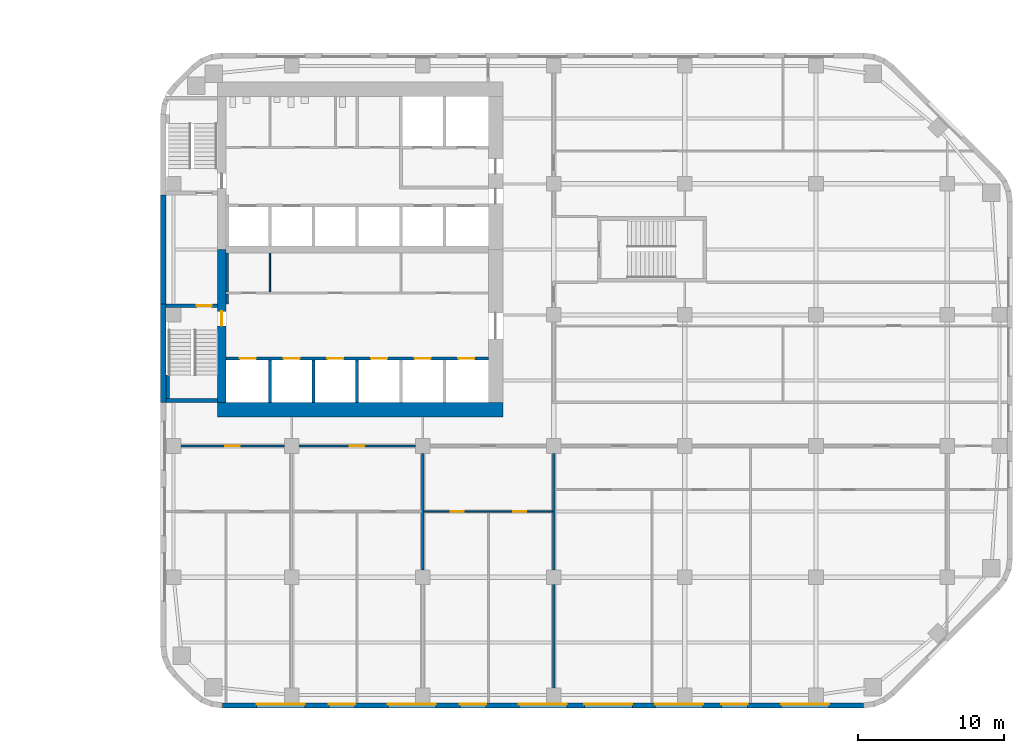
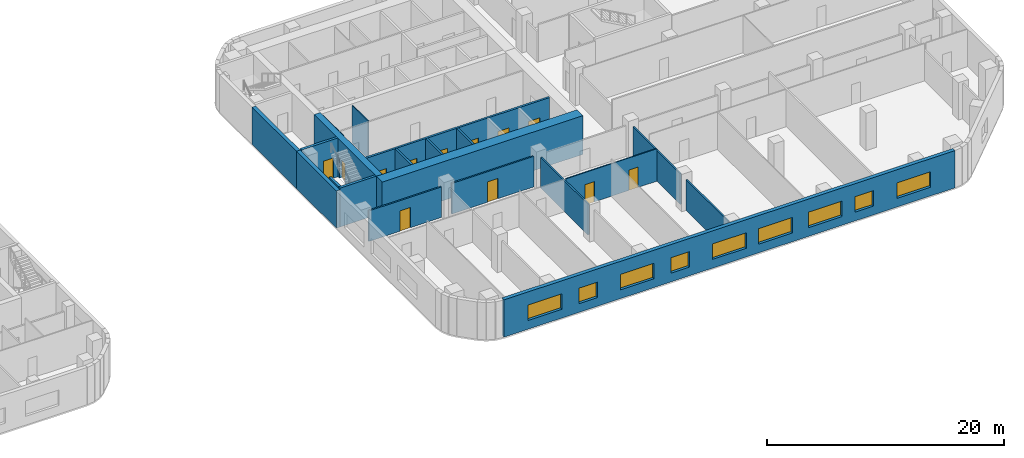
# One storey, part 9 of 16: 21 walls, 12 doors, 9 windows, 21 openings.
"""IFC4 building model written with IfcOpenShell, lengths in metres."""

from ifc_helpers import new_model, si_unit, direction, frame, frame_2d, origin, place, context, subcontext, project, spatial, rectangle, extrude, material, layer, layer_set, type_object, element, fill, save


model = new_model("IFC4")

# Units and contexts
model_context = context("Model", 3, precision=1e-05, world=origin(), true_north=direction((0.0, 1.0)))
body_context = subcontext(model_context, "Body", "Model", "MODEL_VIEW")
ifc_project = project(units=[si_unit("LENGTHUNIT", "METRE"), si_unit("AREAUNIT", "SQUARE_METRE"), si_unit("VOLUMEUNIT", "CUBIC_METRE"), si_unit("PLANEANGLEUNIT", "RADIAN"), si_unit("MASSUNIT", "GRAM", prefix="KILO")], contexts=[model_context])

# Site, building, storey
site_placement = place(None, origin())
site = spatial("IfcSite", under=ifc_project, at=site_placement, CompositionType="ELEMENT")
building_placement = place(site_placement, origin())
building = spatial("IfcBuilding", under=site, at=building_placement, Name="Cinnabar Reach Civic Tower", CompositionType="ELEMENT")
storey_placement = place(building_placement, frame((0.0, 0.0, 83.0)))
storey = spatial("IfcBuildingStorey", under=building, at=storey_placement, Name="L19", CompositionType="ELEMENT", Elevation=83.0)

# Wall, openings, windows
ifc_material_1 = material(Name="Facing brick with insulated backing", Category="masonry")
ifc_layer_1 = layer(ifc_material_1, 0.36)
ifc_layer_set_1 = layer_set([ifc_layer_1], Name="Brick pier and spandrel wall")
wall_type_1 = type_object("IfcWallType", Name="Brick pier and spandrel wall", PredefinedType="STANDARD", material=ifc_layer_set_1)
wall_1_placement = place(storey_placement, frame((4.2426, 0.18, 0.0), z_axis=(0.0, 0.0, 1.0), x_axis=(1.0, 0.0, 0.0)))
wall_1 = element("IfcWall", 1, at=wall_1_placement, inside=storey, type_object=wall_type_1, Name="Brick facade wall", PredefinedType="STANDARD", context=body_context, shape_type="SweptSolid", body=[
    extrude(rectangle(XDim=44.0148, YDim=0.36, at=frame_2d((22.0074, 0.0))), origin(), (0.0, 0.0, 1.0), 3.85),
])
opening_1_placement = place(wall_1_placement, frame((2.3574, 0.0, 0.9)))
opening_1 = element("IfcOpeningElement", 2, at=opening_1_placement, cuts=wall_1, Name="Opening W1375", PredefinedType="OPENING", context=body_context, shape_type="SweptSolid", body=[
    extrude(rectangle(XDim=3.3, YDim=1.6, at=frame_2d((1.65, 0.8))), frame((0.0, 0.19, 0.0), z_axis=(0.0, -1.0, 0.0), x_axis=(1.0, 0.0, 0.0)), (0.0, 0.0, 1.0), 0.38),
])
opening_2_placement = place(wall_1_placement, frame((7.3074, 0.0, 0.9)))
opening_2 = element("IfcOpeningElement", 3, at=opening_2_placement, cuts=wall_1, Name="Opening W1376", PredefinedType="OPENING", context=body_context, shape_type="SweptSolid", body=[
    extrude(rectangle(XDim=1.8, YDim=1.6, at=frame_2d((0.9, 0.8))), frame((0.0, 0.19, 0.0), z_axis=(0.0, -1.0, 0.0), x_axis=(1.0, 0.0, 0.0)), (0.0, 0.0, 1.0), 0.38),
])
opening_3_placement = place(wall_1_placement, frame((11.3574, 0.0, 0.9)))
opening_3 = element("IfcOpeningElement", 4, at=opening_3_placement, cuts=wall_1, Name="Opening W1377", PredefinedType="OPENING", context=body_context, shape_type="SweptSolid", body=[
    extrude(rectangle(XDim=3.3, YDim=1.6, at=frame_2d((1.65, 0.8))), frame((0.0, 0.19, 0.0), z_axis=(0.0, -1.0, 0.0), x_axis=(1.0, 0.0, 0.0)), (0.0, 0.0, 1.0), 0.38),
])
opening_4_placement = place(wall_1_placement, frame((16.3074, 0.0, 0.9)))
opening_4 = element("IfcOpeningElement", 5, at=opening_4_placement, cuts=wall_1, Name="Opening W1378", PredefinedType="OPENING", context=body_context, shape_type="SweptSolid", body=[
    extrude(rectangle(XDim=1.8, YDim=1.6, at=frame_2d((0.9, 0.8))), frame((0.0, 0.19, 0.0), z_axis=(0.0, -1.0, 0.0), x_axis=(1.0, 0.0, 0.0)), (0.0, 0.0, 1.0), 0.38),
])
opening_5_placement = place(wall_1_placement, frame((20.3574, 0.0, 0.9)))
opening_5 = element("IfcOpeningElement", 6, at=opening_5_placement, cuts=wall_1, Name="Opening W1379", PredefinedType="OPENING", context=body_context, shape_type="SweptSolid", body=[
    extrude(rectangle(XDim=3.3, YDim=1.6, at=frame_2d((1.65, 0.8))), frame((0.0, 0.19, 0.0), z_axis=(0.0, -1.0, 0.0), x_axis=(1.0, 0.0, 0.0)), (0.0, 0.0, 1.0), 0.38),
])
opening_6_placement = place(wall_1_placement, frame((24.8574, 0.0, 0.9)))
opening_6 = element("IfcOpeningElement", 7, at=opening_6_placement, cuts=wall_1, Name="Opening W1380", PredefinedType="OPENING", context=body_context, shape_type="SweptSolid", body=[
    extrude(rectangle(XDim=3.3, YDim=1.6, at=frame_2d((1.65, 0.8))), frame((0.0, 0.19, 0.0), z_axis=(0.0, -1.0, 0.0), x_axis=(1.0, 0.0, 0.0)), (0.0, 0.0, 1.0), 0.38),
])
opening_7_placement = place(wall_1_placement, frame((29.7074, 0.0, 0.9)))
opening_7 = element("IfcOpeningElement", 8, at=opening_7_placement, cuts=wall_1, Name="Opening W1381", PredefinedType="OPENING", context=body_context, shape_type="SweptSolid", body=[
    extrude(rectangle(XDim=3.3, YDim=1.6, at=frame_2d((1.65, 0.8))), frame((0.0, 0.19, 0.0), z_axis=(0.0, -1.0, 0.0), x_axis=(1.0, 0.0, 0.0)), (0.0, 0.0, 1.0), 0.38),
])
opening_8_placement = place(wall_1_placement, frame((34.2574, 0.0, 0.9)))
opening_8 = element("IfcOpeningElement", 9, at=opening_8_placement, cuts=wall_1, Name="Opening W1382", PredefinedType="OPENING", context=body_context, shape_type="SweptSolid", body=[
    extrude(rectangle(XDim=1.8, YDim=1.6, at=frame_2d((0.9, 0.8))), frame((0.0, 0.19, 0.0), z_axis=(0.0, -1.0, 0.0), x_axis=(1.0, 0.0, 0.0)), (0.0, 0.0, 1.0), 0.38),
])
opening_9_placement = place(wall_1_placement, frame((38.3574, 0.0, 0.9)))
opening_9 = element("IfcOpeningElement", 10, at=opening_9_placement, cuts=wall_1, Name="Opening W1383", PredefinedType="OPENING", context=body_context, shape_type="SweptSolid", body=[
    extrude(rectangle(XDim=3.3, YDim=1.6, at=frame_2d((1.65, 0.8))), frame((0.0, 0.19, 0.0), z_axis=(0.0, -1.0, 0.0), x_axis=(1.0, 0.0, 0.0)), (0.0, 0.0, 1.0), 0.38),
])
ifc_material_2 = material(Name="Clear double glazing in aluminium frame", Category="aluminium")
window_type_1 = type_object("IfcWindowType", Name="Deep-set window A", PartitioningType="SINGLE_PANEL", PredefinedType="WINDOW", material=ifc_material_2)
window_1_placement = place(opening_1_placement, origin())
window_1 = element("IfcWindow", 11, at=window_1_placement, inside=storey, type_object=window_type_1, Name="Window south face", OverallHeight=1.6, OverallWidth=3.3, PartitioningType="SINGLE_PANEL", PredefinedType="WINDOW", context=body_context, shape_type="SweptSolid", body=[
    extrude(rectangle(XDim=3.3, YDim=1.6, at=frame_2d((1.65, 0.8))), frame((0.0, 0.13, 0.0), z_axis=(0.0, -1.0, 0.0), x_axis=(1.0, 0.0, 0.0)), (0.0, 0.0, 1.0), 0.06),
])
fill(opening_1, window_1)
window_2_placement = place(opening_3_placement, origin())
window_2 = element("IfcWindow", 12, at=window_2_placement, inside=storey, type_object=window_type_1, Name="Window south face", OverallHeight=1.6, OverallWidth=3.3, PartitioningType="SINGLE_PANEL", PredefinedType="WINDOW", context=body_context, shape_type="SweptSolid", body=[
    extrude(rectangle(XDim=3.3, YDim=1.6, at=frame_2d((1.65, 0.8))), frame((0.0, 0.13, 0.0), z_axis=(0.0, -1.0, 0.0), x_axis=(1.0, 0.0, 0.0)), (0.0, 0.0, 1.0), 0.06),
])
fill(opening_3, window_2)
window_3_placement = place(opening_5_placement, origin())
window_3 = element("IfcWindow", 13, at=window_3_placement, inside=storey, type_object=window_type_1, Name="Window south face", OverallHeight=1.6, OverallWidth=3.3, PartitioningType="SINGLE_PANEL", PredefinedType="WINDOW", context=body_context, shape_type="SweptSolid", body=[
    extrude(rectangle(XDim=3.3, YDim=1.6, at=frame_2d((1.65, 0.8))), frame((0.0, 0.13, 0.0), z_axis=(0.0, -1.0, 0.0), x_axis=(1.0, 0.0, 0.0)), (0.0, 0.0, 1.0), 0.06),
])
fill(opening_5, window_3)
window_4_placement = place(opening_6_placement, origin())
window_4 = element("IfcWindow", 14, at=window_4_placement, inside=storey, type_object=window_type_1, Name="Window south face", OverallHeight=1.6, OverallWidth=3.3, PartitioningType="SINGLE_PANEL", PredefinedType="WINDOW", context=body_context, shape_type="SweptSolid", body=[
    extrude(rectangle(XDim=3.3, YDim=1.6, at=frame_2d((1.65, 0.8))), frame((0.0, 0.13, 0.0), z_axis=(0.0, -1.0, 0.0), x_axis=(1.0, 0.0, 0.0)), (0.0, 0.0, 1.0), 0.06),
])
fill(opening_6, window_4)
window_5_placement = place(opening_7_placement, origin())
window_5 = element("IfcWindow", 15, at=window_5_placement, inside=storey, type_object=window_type_1, Name="Window south face", OverallHeight=1.6, OverallWidth=3.3, PartitioningType="SINGLE_PANEL", PredefinedType="WINDOW", context=body_context, shape_type="SweptSolid", body=[
    extrude(rectangle(XDim=3.3, YDim=1.6, at=frame_2d((1.65, 0.8))), frame((0.0, 0.13, 0.0), z_axis=(0.0, -1.0, 0.0), x_axis=(1.0, 0.0, 0.0)), (0.0, 0.0, 1.0), 0.06),
])
fill(opening_7, window_5)
window_6_placement = place(opening_9_placement, origin())
window_6 = element("IfcWindow", 16, at=window_6_placement, inside=storey, type_object=window_type_1, Name="Window south face", OverallHeight=1.6, OverallWidth=3.3, PartitioningType="SINGLE_PANEL", PredefinedType="WINDOW", context=body_context, shape_type="SweptSolid", body=[
    extrude(rectangle(XDim=3.3, YDim=1.6, at=frame_2d((1.65, 0.8))), frame((0.0, 0.13, 0.0), z_axis=(0.0, -1.0, 0.0), x_axis=(1.0, 0.0, 0.0)), (0.0, 0.0, 1.0), 0.06),
])
fill(opening_9, window_6)
window_type_2 = type_object("IfcWindowType", Name="Deep-set window D", PartitioningType="SINGLE_PANEL", PredefinedType="WINDOW", material=ifc_material_2)
window_7_placement = place(opening_2_placement, origin())
window_7 = element("IfcWindow", 17, at=window_7_placement, inside=storey, type_object=window_type_2, Name="Window south face", OverallHeight=1.6, OverallWidth=1.8, PartitioningType="SINGLE_PANEL", PredefinedType="WINDOW", context=body_context, shape_type="SweptSolid", body=[
    extrude(rectangle(XDim=1.8, YDim=1.6, at=frame_2d((0.9, 0.8))), frame((0.0, 0.13, 0.0), z_axis=(0.0, -1.0, 0.0), x_axis=(1.0, 0.0, 0.0)), (0.0, 0.0, 1.0), 0.06),
])
fill(opening_2, window_7)
window_8_placement = place(opening_4_placement, origin())
window_8 = element("IfcWindow", 18, at=window_8_placement, inside=storey, type_object=window_type_2, Name="Window south face", OverallHeight=1.6, OverallWidth=1.8, PartitioningType="SINGLE_PANEL", PredefinedType="WINDOW", context=body_context, shape_type="SweptSolid", body=[
    extrude(rectangle(XDim=1.8, YDim=1.6, at=frame_2d((0.9, 0.8))), frame((0.0, 0.13, 0.0), z_axis=(0.0, -1.0, 0.0), x_axis=(1.0, 0.0, 0.0)), (0.0, 0.0, 1.0), 0.06),
])
fill(opening_4, window_8)
window_9_placement = place(opening_8_placement, origin())
window_9 = element("IfcWindow", 19, at=window_9_placement, inside=storey, type_object=window_type_2, Name="Window south face", OverallHeight=1.6, OverallWidth=1.8, PartitioningType="SINGLE_PANEL", PredefinedType="WINDOW", context=body_context, shape_type="SweptSolid", body=[
    extrude(rectangle(XDim=1.8, YDim=1.6, at=frame_2d((0.9, 0.8))), frame((0.0, 0.13, 0.0), z_axis=(0.0, -1.0, 0.0), x_axis=(1.0, 0.0, 0.0)), (0.0, 0.0, 1.0), 0.06),
])
fill(opening_8, window_9)

# Walls
wall_2_placement = place(storey_placement, frame((0.18, 35.25, 0.0), z_axis=(0.0, 0.0, 1.0), x_axis=(0.0, -1.0, 0.0)))
element("IfcWall", 20, at=wall_2_placement, inside=storey, type_object=wall_type_1, Name="Brick facade wall", PredefinedType="STANDARD", context=body_context, shape_type="SweptSolid", body=[
    extrude(rectangle(XDim=7.5, YDim=0.36, at=frame_2d((3.75, 0.0))), origin(), (0.0, 0.0, 1.0), 3.85),
])
wall_3_placement = place(storey_placement, frame((0.18, 27.75, 0.0), z_axis=(0.0, 0.0, 1.0), x_axis=(0.0, -1.0, 0.0)))
element("IfcWall", 21, at=wall_3_placement, inside=storey, type_object=wall_type_1, Name="Brick facade wall", PredefinedType="STANDARD", context=body_context, shape_type="SweptSolid", body=[
    extrude(rectangle(XDim=6.75, YDim=0.36, at=frame_2d((3.375, 0.0))), origin(), (0.0, 0.0, 1.0), 3.85),
])
ifc_material_3 = material(Name="Concrete C70", Category="concrete")
ifc_layer_2 = layer(ifc_material_3, 1.0)
ifc_layer_set_2 = layer_set([ifc_layer_2], Name="Core wall 1000 EI 180")
wall_type_2 = type_object("IfcWallType", Name="Core wall 1000 EI 180", PredefinedType="SOLIDWALL", material=ifc_layer_set_2)
wall_4_placement = place(storey_placement, frame((3.9, 20.5, 0.0), z_axis=(0.0, 0.0, 1.0), x_axis=(1.0, 0.0, 0.0)))
element("IfcWall", 22, at=wall_4_placement, inside=storey, type_object=wall_type_2, Name="Core wall T1 L19 S", PredefinedType="SOLIDWALL", context=body_context, shape_type="SweptSolid", body=[
    extrude(rectangle(XDim=19.6, YDim=1.0, at=frame_2d((9.8, 0.0))), origin(), (0.0, 0.0, 1.0), 4.0),
])

# Wall, opening, door
ifc_layer_3 = layer(ifc_material_3, 0.6)
ifc_layer_set_3 = layer_set([ifc_layer_3], Name="Core wall 600 EI 180")
wall_type_3 = type_object("IfcWallType", Name="Core wall 600 EI 180", PredefinedType="SOLIDWALL", material=ifc_layer_set_3)
wall_5_placement = place(storey_placement, frame((4.2, 31.5, 0.0), z_axis=(0.0, 0.0, 1.0), x_axis=(0.0, -1.0, 0.0)))
wall_5 = element("IfcWall", 23, at=wall_5_placement, inside=storey, type_object=wall_type_3, Name="Core wall T1 L19 W2", PredefinedType="SOLIDWALL", context=body_context, shape_type="SweptSolid", body=[
    extrude(rectangle(XDim=10.5, YDim=0.6, at=frame_2d((5.25, 0.0))), origin(), (0.0, 0.0, 1.0), 4.0),
])
opening_10_placement = place(wall_5_placement, frame((4.25, 0.0, 0.0)))
opening_10 = element("IfcOpeningElement", 24, at=opening_10_placement, cuts=wall_5, Name="Opening D3752", PredefinedType="OPENING", context=body_context, shape_type="SweptSolid", body=[
    extrude(rectangle(XDim=1.0, YDim=2.1, at=frame_2d((0.5, 1.05))), frame((0.0, 0.31, 0.0), z_axis=(0.0, -1.0, 0.0), x_axis=(1.0, 0.0, 0.0)), (0.0, 0.0, 1.0), 0.62),
])
ifc_material_4 = material(Name="Timber door leaf in steel frame", Category="steel")
door_type_1 = type_object("IfcDoorType", Name="Stair door 1000 x 2100 T1", OperationType="SINGLE_SWING_LEFT", PredefinedType="DOOR", material=ifc_material_4)
door_1_placement = place(opening_10_placement, frame((1.0, 0.0, 0.0), z_axis=(0.0, 0.0, 1.0), x_axis=(-1.0, 0.0, 0.0)))
door_1 = element("IfcDoor", 25, at=door_1_placement, inside=storey, type_object=door_type_1, Name="Door D3752", OperationType="SINGLE_SWING_RIGHT", OverallHeight=2.1, OverallWidth=1.0, PredefinedType="DOOR", context=body_context, shape_type="SweptSolid", body=[
    extrude(rectangle(XDim=1.0, YDim=2.1, at=frame_2d((0.5, 1.05))), frame((0.0, 0.025, 0.0), z_axis=(0.0, -1.0, 0.0), x_axis=(1.0, 0.0, 0.0)), (0.0, 0.0, 1.0), 0.05),
])
fill(opening_10, door_1)

ifc_material_5 = material(Name="Gypsum board on steel studs, double layer", Category="steel")
ifc_layer_4 = layer(ifc_material_5, 0.15)
ifc_layer_set_4 = layer_set([ifc_layer_4], Name="Corridor wall 150 T1")
wall_type_4 = type_object("IfcWallType", Name="Corridor wall 150 T1", PredefinedType="PARTITIONING", material=ifc_layer_set_4)
wall_6_placement = place(storey_placement, frame((9.5, 18.0, 0.0), z_axis=(0.0, 0.0, 1.0), x_axis=(1.0, 0.0, 0.0)))
wall_6 = element("IfcWall", 26, at=wall_6_placement, inside=storey, type_object=wall_type_4, Name="Corridor wall 24", PredefinedType="PARTITIONING", context=body_context, shape_type="SweptSolid", body=[
    extrude(rectangle(XDim=8.0, YDim=0.15, at=frame_2d((4.0, 0.0))), origin(), (0.0, 0.0, 1.0), 3.15),
])
opening_11_placement = place(wall_6_placement, frame((3.5, 0.0, 0.0)))
opening_11 = element("IfcOpeningElement", 27, at=opening_11_placement, cuts=wall_6, Name="Opening D3788", PredefinedType="OPENING", context=body_context, shape_type="SweptSolid", body=[
    extrude(rectangle(XDim=1.0, YDim=2.1, at=frame_2d((0.5, 1.05))), frame((0.0, 0.085, 0.0), z_axis=(0.0, -1.0, 0.0), x_axis=(1.0, 0.0, 0.0)), (0.0, 0.0, 1.0), 0.17),
])
door_type_2 = type_object("IfcDoorType", Name="Tenancy entrance door 1000 x 2100 T1", OperationType="SINGLE_SWING_LEFT", PredefinedType="DOOR", material=ifc_material_4)
door_2_placement = place(opening_11_placement, frame((1.0, 0.0, 0.0), z_axis=(0.0, 0.0, 1.0), x_axis=(-1.0, 0.0, 0.0)))
door_2 = element("IfcDoor", 28, at=door_2_placement, inside=storey, type_object=door_type_2, Name="Door D3788", OperationType="SINGLE_SWING_LEFT", OverallHeight=2.1, OverallWidth=1.0, PredefinedType="DOOR", context=body_context, shape_type="SweptSolid", body=[
    extrude(rectangle(XDim=1.0, YDim=2.1, at=frame_2d((0.5, 1.05))), frame((0.0, 0.025, 0.0), z_axis=(0.0, -1.0, 0.0), x_axis=(1.0, 0.0, 0.0)), (0.0, 0.0, 1.0), 0.05),
])
fill(opening_11, door_2)

wall_7_placement = place(storey_placement, frame((1.4, 18.0, 0.0), z_axis=(0.0, 0.0, 1.0), x_axis=(1.0, 0.0, 0.0)))
wall_7 = element("IfcWall", 29, at=wall_7_placement, inside=storey, type_object=wall_type_4, Name="Corridor wall 25", PredefinedType="PARTITIONING", context=body_context, shape_type="SweptSolid", body=[
    extrude(rectangle(XDim=7.1, YDim=0.15, at=frame_2d((3.55, 0.0))), origin(), (0.0, 0.0, 1.0), 3.15),
])
opening_12_placement = place(wall_7_placement, frame((3.05, 0.0, 0.0)))
opening_12 = element("IfcOpeningElement", 30, at=opening_12_placement, cuts=wall_7, Name="Opening D3785", PredefinedType="OPENING", context=body_context, shape_type="SweptSolid", body=[
    extrude(rectangle(XDim=1.0, YDim=2.1, at=frame_2d((0.5, 1.05))), frame((0.0, 0.085, 0.0), z_axis=(0.0, -1.0, 0.0), x_axis=(1.0, 0.0, 0.0)), (0.0, 0.0, 1.0), 0.17),
])
door_3_placement = place(opening_12_placement, frame((1.0, 0.0, 0.0), z_axis=(0.0, 0.0, 1.0), x_axis=(-1.0, 0.0, 0.0)))
door_3 = element("IfcDoor", 31, at=door_3_placement, inside=storey, type_object=door_type_2, Name="Door D3785", OperationType="SINGLE_SWING_LEFT", OverallHeight=2.1, OverallWidth=1.0, PredefinedType="DOOR", context=body_context, shape_type="SweptSolid", body=[
    extrude(rectangle(XDim=1.0, YDim=2.1, at=frame_2d((0.5, 1.05))), frame((0.0, 0.025, 0.0), z_axis=(0.0, -1.0, 0.0), x_axis=(1.0, 0.0, 0.0)), (0.0, 0.0, 1.0), 0.05),
])
fill(opening_12, door_3)

# Walls
wall_8_placement = place(storey_placement, frame((4.575, 27.75, 0.0), z_axis=(0.0, 0.0, 1.0), x_axis=(0.0, 1.0, 0.0)))
element("IfcWall", 32, at=wall_8_placement, inside=storey, type_object=wall_type_4, Name="Corridor wall 33", PredefinedType="PARTITIONING", context=body_context, shape_type="SweptSolid", body=[
    extrude(rectangle(XDim=0.675, YDim=0.15, at=frame_2d((0.3375, 0.0))), origin(), (0.0, 0.0, 1.0), 3.85),
])
wall_9_placement = place(storey_placement, frame((4.575, 28.575, 0.0), z_axis=(0.0, 0.0, 1.0), x_axis=(0.0, 1.0, 0.0)))
element("IfcWall", 33, at=wall_9_placement, inside=storey, type_object=wall_type_4, Name="Corridor wall 34", PredefinedType="PARTITIONING", context=body_context, shape_type="SweptSolid", body=[
    extrude(rectangle(XDim=2.675, YDim=0.15, at=frame_2d((1.3375, 0.0))), origin(), (0.0, 0.0, 1.0), 3.85),
])

# Wall, openings, doors
ifc_material_6 = material(Name="Blockwork", Category="masonry")
ifc_layer_5 = layer(ifc_material_6, 0.2)
ifc_layer_set_5 = layer_set([ifc_layer_5], Name="Lift shaft wall 200 T1")
wall_type_5 = type_object("IfcWallType", Name="Lift shaft wall 200 T1", PredefinedType="PARTITIONING", material=ifc_layer_set_5)
wall_10_placement = place(storey_placement, frame((4.5, 24.0, 0.0), z_axis=(0.0, 0.0, 1.0), x_axis=(1.0, 0.0, 0.0)))
wall_10 = element("IfcWall", 34, at=wall_10_placement, inside=storey, type_object=wall_type_5, Name="Lift shaft wall 4", PredefinedType="PARTITIONING", context=body_context, shape_type="SweptSolid", body=[
    extrude(rectangle(XDim=18.0, YDim=0.2, at=frame_2d((9.0, 0.0))), origin(), (0.0, 0.0, 1.0), 3.85),
])
opening_13_placement = place(wall_10_placement, frame((0.95, 0.0, 0.0)))
opening_13 = element("IfcOpeningElement", 35, at=opening_13_placement, cuts=wall_10, Name="Opening D3756", PredefinedType="OPENING", context=body_context, shape_type="SweptSolid", body=[
    extrude(rectangle(XDim=1.1, YDim=2.1, at=frame_2d((0.55, 1.05))), frame((0.0, 0.11, 0.0), z_axis=(0.0, -1.0, 0.0), x_axis=(1.0, 0.0, 0.0)), (0.0, 0.0, 1.0), 0.22),
])
opening_14_placement = place(wall_10_placement, frame((3.95, 0.0, 0.0)))
opening_14 = element("IfcOpeningElement", 36, at=opening_14_placement, cuts=wall_10, Name="Opening D3757", PredefinedType="OPENING", context=body_context, shape_type="SweptSolid", body=[
    extrude(rectangle(XDim=1.1, YDim=2.1, at=frame_2d((0.55, 1.05))), frame((0.0, 0.11, 0.0), z_axis=(0.0, -1.0, 0.0), x_axis=(1.0, 0.0, 0.0)), (0.0, 0.0, 1.0), 0.22),
])
opening_15_placement = place(wall_10_placement, frame((6.95, 0.0, 0.0)))
opening_15 = element("IfcOpeningElement", 37, at=opening_15_placement, cuts=wall_10, Name="Opening D3758", PredefinedType="OPENING", context=body_context, shape_type="SweptSolid", body=[
    extrude(rectangle(XDim=1.1, YDim=2.1, at=frame_2d((0.55, 1.05))), frame((0.0, 0.11, 0.0), z_axis=(0.0, -1.0, 0.0), x_axis=(1.0, 0.0, 0.0)), (0.0, 0.0, 1.0), 0.22),
])
opening_16_placement = place(wall_10_placement, frame((9.95, 0.0, 0.0)))
opening_16 = element("IfcOpeningElement", 38, at=opening_16_placement, cuts=wall_10, Name="Opening D3759", PredefinedType="OPENING", context=body_context, shape_type="SweptSolid", body=[
    extrude(rectangle(XDim=1.1, YDim=2.1, at=frame_2d((0.55, 1.05))), frame((0.0, 0.11, 0.0), z_axis=(0.0, -1.0, 0.0), x_axis=(1.0, 0.0, 0.0)), (0.0, 0.0, 1.0), 0.22),
])
opening_17_placement = place(wall_10_placement, frame((12.95, 0.0, 0.0)))
opening_17 = element("IfcOpeningElement", 39, at=opening_17_placement, cuts=wall_10, Name="Opening D3760", PredefinedType="OPENING", context=body_context, shape_type="SweptSolid", body=[
    extrude(rectangle(XDim=1.1, YDim=2.1, at=frame_2d((0.55, 1.05))), frame((0.0, 0.11, 0.0), z_axis=(0.0, -1.0, 0.0), x_axis=(1.0, 0.0, 0.0)), (0.0, 0.0, 1.0), 0.22),
])
opening_18_placement = place(wall_10_placement, frame((15.95, 0.0, 0.0)))
opening_18 = element("IfcOpeningElement", 40, at=opening_18_placement, cuts=wall_10, Name="Opening D3761", PredefinedType="OPENING", context=body_context, shape_type="SweptSolid", body=[
    extrude(rectangle(XDim=1.1, YDim=2.1, at=frame_2d((0.55, 1.05))), frame((0.0, 0.11, 0.0), z_axis=(0.0, -1.0, 0.0), x_axis=(1.0, 0.0, 0.0)), (0.0, 0.0, 1.0), 0.22),
])
ifc_material_7 = material(Name="Stainless steel sliding door", Category="steel")
door_type_3 = type_object("IfcDoorType", Name="Lift landing door 1100 x 2100 T1", OperationType="SLIDING_TO_LEFT", PredefinedType="DOOR", material=ifc_material_7)
door_4_placement = place(opening_13_placement, origin())
door_4 = element("IfcDoor", 41, at=door_4_placement, inside=storey, type_object=door_type_3, Name="Lift landing door LR1 L19", OperationType="SLIDING_TO_LEFT", OverallHeight=2.1, OverallWidth=1.1, PredefinedType="DOOR", context=body_context, shape_type="SweptSolid", body=[
    extrude(rectangle(XDim=1.1, YDim=2.1, at=frame_2d((0.55, 1.05))), frame((0.0, 0.025, 0.0), z_axis=(0.0, -1.0, 0.0), x_axis=(1.0, 0.0, 0.0)), (0.0, 0.0, 1.0), 0.05),
])
fill(opening_13, door_4)
door_5_placement = place(opening_14_placement, origin())
door_5 = element("IfcDoor", 42, at=door_5_placement, inside=storey, type_object=door_type_3, Name="Lift landing door LR2 L19", OperationType="SLIDING_TO_LEFT", OverallHeight=2.1, OverallWidth=1.1, PredefinedType="DOOR", context=body_context, shape_type="SweptSolid", body=[
    extrude(rectangle(XDim=1.1, YDim=2.1, at=frame_2d((0.55, 1.05))), frame((0.0, 0.025, 0.0), z_axis=(0.0, -1.0, 0.0), x_axis=(1.0, 0.0, 0.0)), (0.0, 0.0, 1.0), 0.05),
])
fill(opening_14, door_5)
door_6_placement = place(opening_15_placement, origin())
door_6 = element("IfcDoor", 43, at=door_6_placement, inside=storey, type_object=door_type_3, Name="Lift landing door LR3 L19", OperationType="SLIDING_TO_LEFT", OverallHeight=2.1, OverallWidth=1.1, PredefinedType="DOOR", context=body_context, shape_type="SweptSolid", body=[
    extrude(rectangle(XDim=1.1, YDim=2.1, at=frame_2d((0.55, 1.05))), frame((0.0, 0.025, 0.0), z_axis=(0.0, -1.0, 0.0), x_axis=(1.0, 0.0, 0.0)), (0.0, 0.0, 1.0), 0.05),
])
fill(opening_15, door_6)
door_7_placement = place(opening_16_placement, origin())
door_7 = element("IfcDoor", 44, at=door_7_placement, inside=storey, type_object=door_type_3, Name="Lift landing door LR4 L19", OperationType="SLIDING_TO_LEFT", OverallHeight=2.1, OverallWidth=1.1, PredefinedType="DOOR", context=body_context, shape_type="SweptSolid", body=[
    extrude(rectangle(XDim=1.1, YDim=2.1, at=frame_2d((0.55, 1.05))), frame((0.0, 0.025, 0.0), z_axis=(0.0, -1.0, 0.0), x_axis=(1.0, 0.0, 0.0)), (0.0, 0.0, 1.0), 0.05),
])
fill(opening_16, door_7)
door_8_placement = place(opening_17_placement, origin())
door_8 = element("IfcDoor", 45, at=door_8_placement, inside=storey, type_object=door_type_3, Name="Lift landing door LR5 L19", OperationType="SLIDING_TO_LEFT", OverallHeight=2.1, OverallWidth=1.1, PredefinedType="DOOR", context=body_context, shape_type="SweptSolid", body=[
    extrude(rectangle(XDim=1.1, YDim=2.1, at=frame_2d((0.55, 1.05))), frame((0.0, 0.025, 0.0), z_axis=(0.0, -1.0, 0.0), x_axis=(1.0, 0.0, 0.0)), (0.0, 0.0, 1.0), 0.05),
])
fill(opening_17, door_8)
door_9_placement = place(opening_18_placement, origin())
door_9 = element("IfcDoor", 46, at=door_9_placement, inside=storey, type_object=door_type_3, Name="Lift landing door LR6 L19", OperationType="SLIDING_TO_LEFT", OverallHeight=2.1, OverallWidth=1.1, PredefinedType="DOOR", context=body_context, shape_type="SweptSolid", body=[
    extrude(rectangle(XDim=1.1, YDim=2.1, at=frame_2d((0.55, 1.05))), frame((0.0, 0.025, 0.0), z_axis=(0.0, -1.0, 0.0), x_axis=(1.0, 0.0, 0.0)), (0.0, 0.0, 1.0), 0.05),
])
fill(opening_18, door_9)

# Walls
for number, where, z_axis, x_axis, name in (
    (47, (7.5, 21.0, 0.0), (0.0, 0.0, 1.0), (0.0, 1.0, 0.0), "Lift shaft wall 9"),
    (48, (10.5, 21.0, 0.0), (0.0, 0.0, 1.0), (0.0, 1.0, 0.0), "Lift shaft wall 11"),
    (49, (13.5, 21.0, 0.0), (0.0, 0.0, 1.0), (0.0, 1.0, 0.0), "Lift shaft wall 13"),
):
    element("IfcWall", number, at=place(storey_placement, frame(where, z_axis=z_axis, x_axis=x_axis)), inside=storey, type_object=wall_type_5, Name=name, PredefinedType="PARTITIONING", context=body_context, shape_type="SweptSolid", body=[
        extrude(rectangle(XDim=2.9, YDim=0.2, at=frame_2d((1.45, 0.0))), origin(), (0.0, 0.0, 1.0), 3.85),
    ])

# Wall, openings, doors
ifc_material_8 = material(Name="Gypsum board on steel studs", Category="steel")
ifc_layer_6 = layer(ifc_material_8, 0.1)
ifc_layer_set_6 = layer_set([ifc_layer_6], Name="Partition wall 100 T1")
wall_type_6 = type_object("IfcWallType", Name="Partition wall 100 T1", PredefinedType="PARTITIONING", material=ifc_layer_set_6)
wall_11_placement = place(storey_placement, frame((18.075, 13.5, 0.0), z_axis=(0.0, 0.0, 1.0), x_axis=(1.0, 0.0, 0.0)))
wall_11 = element("IfcWall", 50, at=wall_11_placement, inside=storey, type_object=wall_type_6, Name="Partition wall 55", PredefinedType="PARTITIONING", context=body_context, shape_type="SweptSolid", body=[
    extrude(rectangle(XDim=8.85, YDim=0.1, at=frame_2d((4.425, 0.0))), origin(), (0.0, 0.0, 1.0), 3.35),
])
opening_19_placement = place(wall_11_placement, frame((1.85, 0.0, 0.0)))
opening_19 = element("IfcOpeningElement", 51, at=opening_19_placement, cuts=wall_11, Name="Opening D3792", PredefinedType="OPENING", context=body_context, shape_type="SweptSolid", body=[
    extrude(rectangle(XDim=0.9, YDim=2.1, at=frame_2d((0.45, 1.05))), frame((0.0, 0.06, 0.0), z_axis=(0.0, -1.0, 0.0), x_axis=(1.0, 0.0, 0.0)), (0.0, 0.0, 1.0), 0.12),
])
opening_20_placement = place(wall_11_placement, frame((6.125, 0.0, 0.0)))
opening_20 = element("IfcOpeningElement", 52, at=opening_20_placement, cuts=wall_11, Name="Opening D3793", PredefinedType="OPENING", context=body_context, shape_type="SweptSolid", body=[
    extrude(rectangle(XDim=0.9, YDim=2.1, at=frame_2d((0.45, 1.05))), frame((0.0, 0.06, 0.0), z_axis=(0.0, -1.0, 0.0), x_axis=(1.0, 0.0, 0.0)), (0.0, 0.0, 1.0), 0.12),
])
door_type_4 = type_object("IfcDoorType", Name="Single swing door 900 x 2100 T1", OperationType="SINGLE_SWING_LEFT", PredefinedType="DOOR", material=ifc_material_4)
door_10_placement = place(opening_19_placement, origin())
door_10 = element("IfcDoor", 53, at=door_10_placement, inside=storey, type_object=door_type_4, Name="Door D3792", OperationType="SINGLE_SWING_RIGHT", OverallHeight=2.1, OverallWidth=0.9, PredefinedType="DOOR", context=body_context, shape_type="SweptSolid", body=[
    extrude(rectangle(XDim=0.9, YDim=2.1, at=frame_2d((0.45, 1.05))), frame((0.0, 0.025, 0.0), z_axis=(0.0, -1.0, 0.0), x_axis=(1.0, 0.0, 0.0)), (0.0, 0.0, 1.0), 0.05),
])
fill(opening_19, door_10)
door_11_placement = place(opening_20_placement, origin())
door_11 = element("IfcDoor", 54, at=door_11_placement, inside=storey, type_object=door_type_4, Name="Door D3793", OperationType="SINGLE_SWING_LEFT", OverallHeight=2.1, OverallWidth=0.9, PredefinedType="DOOR", context=body_context, shape_type="SweptSolid", body=[
    extrude(rectangle(XDim=0.9, YDim=2.1, at=frame_2d((0.45, 1.05))), frame((0.0, 0.025, 0.0), z_axis=(0.0, -1.0, 0.0), x_axis=(1.0, 0.0, 0.0)), (0.0, 0.0, 1.0), 0.05),
])
fill(opening_20, door_11)

# Walls
wall_12_placement = place(storey_placement, frame((7.5, 28.575, 0.0), z_axis=(0.0, 0.0, 1.0), x_axis=(0.0, 1.0, 0.0)))
element("IfcWall", 55, at=wall_12_placement, inside=storey, type_object=wall_type_6, Name="Partition wall 66", PredefinedType="PARTITIONING", context=body_context, shape_type="SweptSolid", body=[
    extrude(rectangle(XDim=2.675, YDim=0.1, at=frame_2d((1.3375, 0.0))), origin(), (0.0, 0.0, 1.0), 3.85),
])
ifc_material_9 = material(Name="Concrete C60", Category="concrete")
ifc_layer_7 = layer(ifc_material_9, 0.25)
ifc_layer_set_7 = layer_set([ifc_layer_7], Name="Stair shaft wall 250 EI 120")
wall_type_7 = type_object("IfcWallType", Name="Stair shaft wall 250 EI 120", PredefinedType="SOLIDWALL", material=ifc_layer_set_7)
wall_13_placement = place(storey_placement, frame((0.36, 21.125, 0.0), z_axis=(0.0, 0.0, 1.0), x_axis=(1.0, 0.0, 0.0)))
element("IfcWall", 56, at=wall_13_placement, inside=storey, type_object=wall_type_7, Name="Stair shaft wall T1-S1 L19", PredefinedType="SOLIDWALL", context=body_context, shape_type="SweptSolid", body=[
    extrude(rectangle(XDim=3.54, YDim=0.25, at=frame_2d((1.77, 0.0))), origin(), (0.0, 0.0, 1.0), 4.0),
])

# Wall, opening, door
wall_14_placement = place(storey_placement, frame((3.9, 27.625, 0.0), z_axis=(0.0, 0.0, 1.0), x_axis=(-1.0, 0.0, 0.0)))
wall_14 = element("IfcWall", 57, at=wall_14_placement, inside=storey, type_object=wall_type_7, Name="Stair shaft wall T1-S1 L19", PredefinedType="SOLIDWALL", context=body_context, shape_type="SweptSolid", body=[
    extrude(rectangle(XDim=3.54, YDim=0.25, at=frame_2d((1.77, 0.0))), origin(), (0.0, 0.0, 1.0), 4.0),
])
opening_21_placement = place(wall_14_placement, frame((0.4, 0.0, 0.0)))
opening_21 = element("IfcOpeningElement", 58, at=opening_21_placement, cuts=wall_14, Name="Opening D3753", PredefinedType="OPENING", context=body_context, shape_type="SweptSolid", body=[
    extrude(rectangle(XDim=1.0, YDim=2.1, at=frame_2d((0.5, 1.05))), frame((0.0, 0.135, 0.0), z_axis=(0.0, -1.0, 0.0), x_axis=(1.0, 0.0, 0.0)), (0.0, 0.0, 1.0), 0.27),
])
door_12_placement = place(opening_21_placement, origin())
door_12 = element("IfcDoor", 59, at=door_12_placement, inside=storey, type_object=door_type_1, Name="Door D3753", OperationType="SINGLE_SWING_LEFT", OverallHeight=2.1, OverallWidth=1.0, PredefinedType="DOOR", context=body_context, shape_type="SweptSolid", body=[
    extrude(rectangle(XDim=1.0, YDim=2.1, at=frame_2d((0.5, 1.05))), frame((0.0, 0.025, 0.0), z_axis=(0.0, -1.0, 0.0), x_axis=(1.0, 0.0, 0.0)), (0.0, 0.0, 1.0), 0.05),
])
fill(opening_21, door_12)

# Walls
ifc_material_10 = material(Name="Concrete C40/50", Category="concrete")
ifc_layer_8 = layer(ifc_material_10, 0.24)
ifc_layer_set_8 = layer_set([ifc_layer_8], Name="T1 landing bearer wall 240")
wall_type_8 = type_object("IfcWallType", Name="T1 landing bearer wall 240", PredefinedType="STANDARD", material=ifc_layer_set_8)
wall_15_placement = place(storey_placement, frame((0.48, 21.25, 0.0), z_axis=(0.0, 0.0, 1.0), x_axis=(0.0, 1.0, 0.0)))
element("IfcWall", 60, at=wall_15_placement, inside=storey, type_object=wall_type_8, Name="T1-S1 landing bearer wall", PredefinedType="STANDARD", context=body_context, shape_type="SweptSolid", body=[
    extrude(rectangle(XDim=1.62, YDim=0.24, at=frame_2d((0.81, 0.0))), origin(), (0.0, 0.0, 1.0), 4.0),
])
ifc_layer_9 = layer(ifc_material_5, 0.15)
ifc_layer_set_9 = layer_set([ifc_layer_9], Name="Tenancy separating wall 150 T1")
wall_type_9 = type_object("IfcWallType", Name="Tenancy separating wall 150 T1", PredefinedType="PARTITIONING", material=ifc_layer_set_9)
wall_16_placement = place(storey_placement, frame((18.0, 9.5, 0.0), z_axis=(0.0, 0.0, 1.0), x_axis=(0.0, 1.0, 0.0)))
element("IfcWall", 61, at=wall_16_placement, inside=storey, type_object=wall_type_9, Name="Tenancy separating wall 44", PredefinedType="PARTITIONING", context=body_context, shape_type="SweptSolid", body=[
    extrude(rectangle(XDim=8.0, YDim=0.15, at=frame_2d((4.0, 0.0))), origin(), (0.0, 0.0, 1.0), 3.158),
])
wall_17_placement = place(storey_placement, frame((27.0, 1.4, 0.0), z_axis=(0.0, 0.0, 1.0), x_axis=(0.0, 1.0, 0.0)))
element("IfcWall", 62, at=wall_17_placement, inside=storey, type_object=wall_type_9, Name="Tenancy separating wall 45", PredefinedType="PARTITIONING", context=body_context, shape_type="SweptSolid", body=[
    extrude(rectangle(XDim=7.1, YDim=0.15, at=frame_2d((3.55, 0.0))), origin(), (0.0, 0.0, 1.0), 3.158),
])
wall_18_placement = place(storey_placement, frame((27.0, 9.5, 0.0), z_axis=(0.0, 0.0, 1.0), x_axis=(0.0, 1.0, 0.0)))
element("IfcWall", 63, at=wall_18_placement, inside=storey, type_object=wall_type_9, Name="Tenancy separating wall 46", PredefinedType="PARTITIONING", context=body_context, shape_type="SweptSolid", body=[
    extrude(rectangle(XDim=8.0, YDim=0.15, at=frame_2d((4.0, 0.0))), origin(), (0.0, 0.0, 1.0), 3.158),
])

save(model, "model.ifc")
